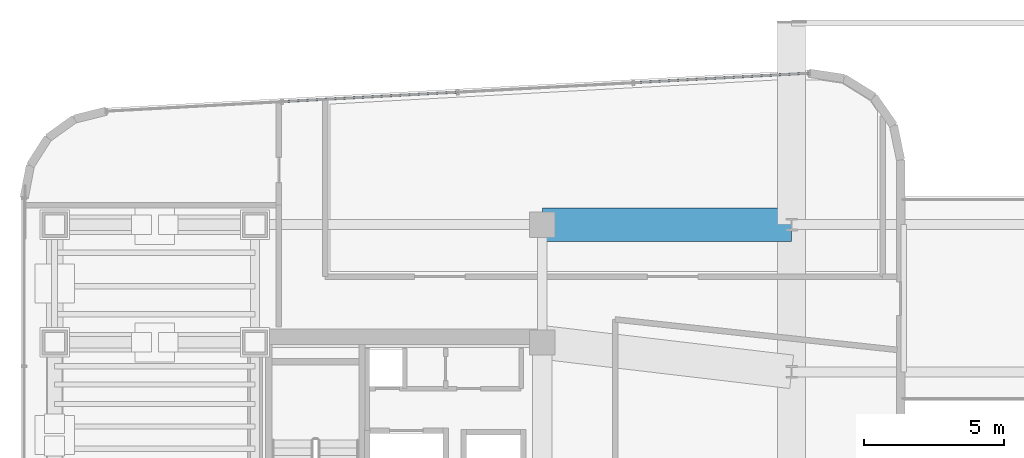
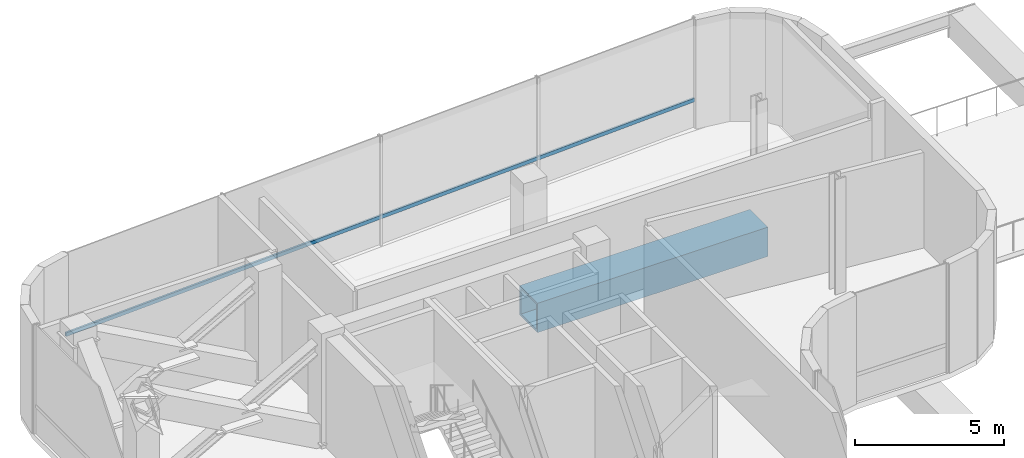
# One storey, part 13 of 20: 1 beam, 1 member, 1 element without a shape of its own.
"""IFC4 building model written with IfcOpenShell, lengths in metres."""

from ifc_helpers import new_model, si_unit, direction, frame, origin, origin_2d, place, context, subcontext, project, spatial, hollow_rectangle, extrude, source, transform, mapped, material, material_profile, profile_set, type_object, element, aggregate, save


model = new_model("IFC4")

# Units and contexts
model_context = context("Model", 3, precision=1e-05, world=origin(), true_north=direction((0.0, 1.0)))
body_context = subcontext(model_context, "Body", "Model", "MODEL_VIEW")
ifc_project = project(units=[si_unit("LENGTHUNIT", "METRE"), si_unit("AREAUNIT", "SQUARE_METRE"), si_unit("VOLUMEUNIT", "CUBIC_METRE"), si_unit("PLANEANGLEUNIT", "RADIAN"), si_unit("MASSUNIT", "GRAM", prefix="KILO")], contexts=[model_context])

# Site, building, storey
site_placement = place(None, origin())
site = spatial("IfcSite", under=ifc_project, at=site_placement, CompositionType="ELEMENT")
building_placement = place(site_placement, origin())
building = spatial("IfcBuilding", under=site, at=building_placement, Name="Valdorenza Pilgrim Sanctuary Tower", CompositionType="ELEMENT")
storey_placement = place(building_placement, frame((0.0, 0.0, 196.300048828125)))
storey = spatial("IfcBuildingStorey", under=building, at=storey_placement, Name="L50", CompositionType="ELEMENT", Elevation=196.300048828125)

# Beam
ifc_material_1 = material(Name="Steel ASTM A572 Grade 42", Category="steel")
ifc_material_profile_1 = material_profile(ifc_material_1, hollow_rectangle(XDim=1.199951171875, YDim=1.199951171875, WallThickness=0.090087890625, at=origin_2d()), Name="BOX 1200x1200x90")
ifc_profile_set_1 = profile_set([ifc_material_profile_1], Name="Steel ASTM A572 Grade 42")
beam_type = type_object("IfcBeamType", Name="STR-BM-TRF-1200", PredefinedType="BEAM", material=ifc_profile_set_1)
shared_shape_1 = source(origin(), body_context, "Body", "SweptSolid", [
    extrude(hollow_rectangle(XDim=1.199951171875, YDim=1.199951171875, WallThickness=0.090087890625, at=origin_2d()), origin(), (0.0, 0.0, 1.0), 8.89990234375),
])
beam_placement = place(storey_placement, frame((-12.39990234375, 14.800048828125, -0.840087890625), z_axis=(1.0, 0.0, 0.0), x_axis=(0.0, 1.0, 0.0)))
element("IfcBeam", 1, at=beam_placement, inside=storey, type_object=beam_type, Name="L50 Portal Bridge Transfer Girder PRY-G1-P14", PredefinedType="BEAM", context=body_context, shape_type="MappedRepresentation", body=[
    mapped(shared_shape_1, transform((0.0, 0.0, 0.0), x_axis=(1.0, 0.0, 0.0), y_axis=(0.0, 1.0, 0.0), z_axis=(0.0, 0.0, 1.0), scale=1.0)),
])

# Curtain wall, member
ifc_material_2 = material(Name="Curtain-wall IGU glazing", Category="glass")
curtain_wall_type = type_object("IfcCurtainWallType", Name="CW-SYS-02", PredefinedType="NOTDEFINED", material=ifc_material_2)
curtain_wall_placement = place(storey_placement, origin())
curtain_wall = element("IfcCurtainWall", 2, at=curtain_wall_placement, inside=storey, type_object=curtain_wall_type, Name="L50 Curtain Wall CW-L50-1-6", PredefinedType="NOTDEFINED")
ifc_material_3 = material(Name="Anodised aluminium AW-6060", Category="aluminium")
ifc_material_profile_2 = material_profile(ifc_material_3, hollow_rectangle(XDim=0.074951171875, YDim=0.14990234375, WallThickness=0.00390625, at=origin_2d()), Name="ALU-T 150x75x4")
ifc_profile_set_2 = profile_set([ifc_material_profile_2], Name="Anodised aluminium AW-6060")
member_type = type_object("IfcMemberType", Name="CW-TRN-02", PredefinedType="USERDEFINED", material=ifc_profile_set_2)
shared_shape_2 = source(origin(), body_context, "Body", "SweptSolid", [
    extrude(hollow_rectangle(XDim=0.074951171875, YDim=0.14990234375, WallThickness=0.00390625, at=origin_2d()), origin(), (0.0, 0.0, 1.0), 25.114990234375),
])
member_placement = place(storey_placement, frame((-27.9560546875, 18.85400390625, 1.119873046875), z_axis=(0.998546716184, 0.053893001378, 0.0), x_axis=(-0.053893001378, 0.998546716184, 0.0)))
member = element("IfcMember", 3, at=member_placement, type_object=member_type, Name="CW-L50-1-6 Transom 1", ObjectType="TRANSOM", PredefinedType="USERDEFINED", context=body_context, shape_type="MappedRepresentation", body=[
    mapped(shared_shape_2, transform((0.0, 0.0, 0.0), x_axis=(1.0, 0.0, 0.0), y_axis=(0.0, 1.0, 0.0), z_axis=(0.0, 0.0, 1.0), scale=1.0)),
])
aggregate(curtain_wall, [member])

save(model, "model.ifc")
